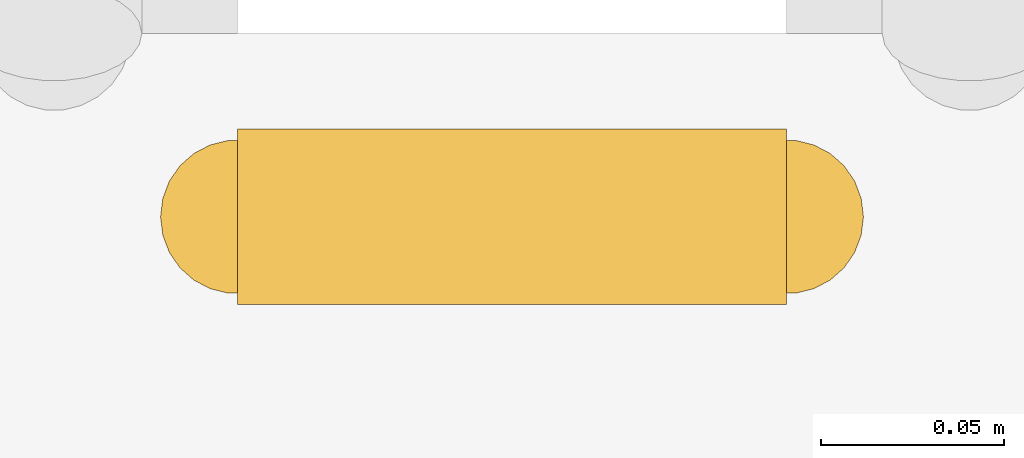
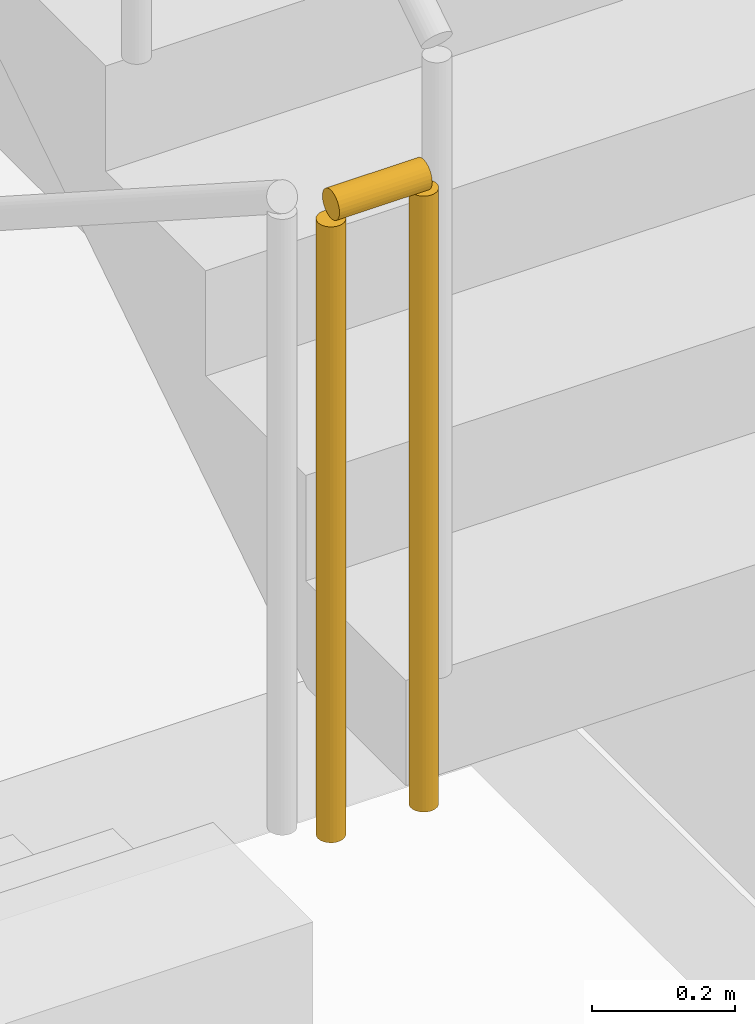
# One storey, part 8 of 13: 1 railing.
"""IFC4 building model written with IfcOpenShell, lengths in metres."""

import ifcopenshell
import ifcopenshell.guid

model = None  # the IFC model being written
_history = None  # IfcOwnerHistory: only IFC2X3 demands one
_inside = {}  # id of a spatial element -> (the spatial element, [elements in it])
_under = {}  # id of a project, library or spatial element -> (it, [spatial elements below it])
_declared = {}  # id of a project -> (the project, [libraries it declares])
_typed = {}  # id of a type object -> (the type object, [elements of that type])
_made_of = {}  # id of a material, layer set ... -> (it, [elements and type objects made of it])


def new_model(schema):
    """Start an empty IFC model of exactly this schema.

    Asked for "IFC4X3", IfcOpenShell would pick the latest addendum, in which some entities
    have other attributes; the version numbers below select the first issue.
    IFC2X3 requires an IfcOwnerHistory on every rooted entity: one is made here for all.
    """
    global model, _history
    if schema == "IFC4X3":
        model = ifcopenshell.file(schema_version=(4, 3, 0, 0))
    else:
        model = ifcopenshell.file(schema=schema)
    _inside.clear()
    _under.clear()
    _declared.clear()
    _typed.clear()
    _made_of.clear()
    _history = None
    if model.schema == "IFC2X3":
        org = make("IfcOrganization", Name="unknown")
        user = make(
            "IfcPersonAndOrganization",
            ThePerson=make("IfcPerson", FamilyName="unknown"),
            TheOrganization=org,
        )
        app = make(
            "IfcApplication",
            ApplicationDeveloper=org,
            Version="unknown",
            ApplicationFullName="unknown",
            ApplicationIdentifier="unknown",
        )
        _history = make(
            "IfcOwnerHistory",
            OwningUser=user,
            OwningApplication=app,
            ChangeAction="ADDED",
            CreationDate=0,
        )
    return model


def make(cls, **values):
    """One entity of the class cls with the attributes given. An attribute that is None is left unset."""
    return model.create_entity(
        cls, **{name: value for name, value in values.items() if value is not None}
    )


def rooted(cls, **values):
    """An entity with a GlobalId (a new one), such as an element, a storey or a relation."""
    return make(cls, GlobalId=ifcopenshell.guid.new(), OwnerHistory=_history, **values)


def si_unit(unit_type, name, prefix=None):
    """IfcSIUnit, for example si_unit("LENGTHUNIT", "METRE", prefix="MILLI")."""
    return make("IfcSIUnit", UnitType=unit_type, Prefix=prefix, Name=name)


def assignment(units):
    """IfcUnitAssignment: the units of a project."""
    return None if units is None else make("IfcUnitAssignment", Units=units)


def point(xyz):
    """IfcCartesianPoint."""
    return None if xyz is None else make("IfcCartesianPoint", Coordinates=xyz)


def direction(xyz):
    """IfcDirection."""
    return None if xyz is None else make("IfcDirection", DirectionRatios=xyz)


def frame(location, z_axis=None, x_axis=None):
    """IfcAxis2Placement3D, a coordinate frame: its origin and axes. An axis left out is left unset."""
    return make(
        "IfcAxis2Placement3D",
        Location=point(location),
        Axis=direction(z_axis),
        RefDirection=direction(x_axis),
    )


def frame_2d(location, x_axis=None):
    """IfcAxis2Placement2D, a coordinate frame in the plane: its origin and x axis."""
    return make(
        "IfcAxis2Placement2D", Location=point(location), RefDirection=direction(x_axis)
    )


def origin():
    """The frame at (0, 0, 0) with its axes left unset."""
    return frame((0.0, 0.0, 0.0))


def origin_2d():
    """The frame at (0, 0) in the plane with its x axis left unset."""
    return frame_2d((0.0, 0.0))


def place(relative_to, where):
    """IfcLocalPlacement: puts the frame where relative to a parent placement (None: the world)."""
    return make(
        "IfcLocalPlacement", PlacementRelTo=relative_to, RelativePlacement=where
    )


def context(
    kind, dimensions, precision=None, world=None, true_north=None, identifier=None
):
    """IfcGeometricRepresentationContext, for example the 3D "Model" context."""
    return make(
        "IfcGeometricRepresentationContext",
        ContextIdentifier=identifier,
        ContextType=kind,
        CoordinateSpaceDimension=dimensions,
        Precision=precision,
        WorldCoordinateSystem=world,
        TrueNorth=true_north,
    )


def subcontext(parent, identifier, kind, view, scale=None):
    """IfcGeometricRepresentationSubContext, for example "Body" below "Model"."""
    return make(
        "IfcGeometricRepresentationSubContext",
        ContextIdentifier=identifier,
        ContextType=kind,
        ParentContext=parent,
        TargetScale=scale,
        TargetView=view,
    )


def project(units=None, contexts=None):
    """IfcProject with its units and contexts."""
    return rooted(
        "IfcProject",
        Name="project",
        RepresentationContexts=contexts,
        UnitsInContext=assignment(units),
    )


def spatial(cls, under=None, at=None, **own):
    """A site, building, storey or space (cls), placed at a placement, below another one or the project."""
    s = rooted(cls, ObjectPlacement=at, **own)
    if under is not None:
        _under.setdefault(under.id(), (under, []))[1].append(s)
    return s


def profile(cls, at=None, kind="AREA", **sizes):
    """A parametric profile (cls). Its sizes go by their IFC names, for example OverallWidth=200.0."""
    return make(cls, ProfileType=kind, Position=at, **sizes)


def circle(**sizes):
    """IfcCircleProfileDef."""
    return profile("IfcCircleProfileDef", **sizes)


def extrude(swept, where, along, depth):
    """IfcExtrudedAreaSolid: the profile swept, set in the frame where, extruded along a direction by depth."""
    return make(
        "IfcExtrudedAreaSolid",
        SweptArea=swept,
        Position=where,
        ExtrudedDirection=direction(along),
        Depth=depth,
    )


def shape(context_of_items, identifier, shape_type, items):
    """IfcShapeRepresentation: the items that make up one representation, for example the "Body"."""
    return make(
        "IfcShapeRepresentation",
        ContextOfItems=context_of_items,
        RepresentationIdentifier=identifier,
        RepresentationType=shape_type,
        Items=items,
    )


def material(Name=None, Category=None):
    """IfcMaterial."""
    return make("IfcMaterial", Name=Name, Category=Category)


def made_of(thing, what):
    """Note that an element or type object is made of a material, layer set ...; save() writes the relation."""
    if what is not None:
        _made_of.setdefault(what.id(), (what, []))[1].append(thing)
    return thing


def type_object(cls, material=None, **own):
    """A type object (cls), such as IfcWallType, which elements share."""
    return made_of(rooted(cls, **own), material)


def element(
    cls,
    number,
    at=None,
    inside=None,
    cuts=None,
    type_object=None,
    material=None,
    context=None,
    identifier="Body",
    shape_type=None,
    held_by="IfcProductDefinitionShape",
    body=None,
    shapes=None,
    **own,
):
    """One element of the class cls, such as IfcWall. Its Tag is "e" and its number.

    at: its placement. inside: the storey or other place that contains it. cuts: it is an
    opening in that element (IfcRelVoidsElement). A single representation is given by context,
    identifier, shape_type and body (its items); several are given by shapes. held_by: the class
    of the entity that holds the representations. save() writes the other relations.
    """
    e = rooted(cls, Tag="e%d" % number, ObjectPlacement=at, **own)
    if body is not None:
        shapes = [shape(context, identifier, shape_type, body)]
    if shapes is not None:
        e.Representation = make(held_by, Representations=shapes)
    if inside is not None:
        _inside.setdefault(inside.id(), (inside, []))[1].append(e)
    if cuts is not None:
        rooted(
            "IfcRelVoidsElement", RelatingBuildingElement=cuts, RelatedOpeningElement=e
        )
    if type_object is not None:
        _typed.setdefault(type_object.id(), (type_object, []))[1].append(e)
    return made_of(e, material)


def aggregate(whole, parts):
    """IfcRelAggregates: a whole, such as a stair, and the parts it consists of."""
    return rooted("IfcRelAggregates", RelatingObject=whole, RelatedObjects=parts)


def save(model, path):
    """Write the relations noted so far, then the file.

    IfcRelAggregates (storeys below a building ...), IfcRelContainedInSpatialStructure (elements
    in a storey), IfcRelDefinesByType, IfcRelAssociatesMaterial and IfcRelDeclares: one each for
    every whole, place, type object, material and project.
    """
    for whole, parts in _under.values():
        aggregate(whole, parts)
    for where, things in _inside.values():
        rooted(
            "IfcRelContainedInSpatialStructure",
            RelatedElements=things,
            RelatingStructure=where,
        )
    for kind, things in _typed.values():
        rooted("IfcRelDefinesByType", RelatedObjects=things, RelatingType=kind)
    for what, things in _made_of.values():
        rooted("IfcRelAssociatesMaterial", RelatedObjects=things, RelatingMaterial=what)
    for by, libraries in _declared.values():
        rooted("IfcRelDeclares", RelatingContext=by, RelatedDefinitions=libraries)
    model.write(path)


model = new_model("IFC4")

# Units and contexts
model_context = context("Model", 3, precision=1e-05, world=origin(), true_north=direction((0.0, 1.0)))
body_context = subcontext(model_context, "Body", "Model", "MODEL_VIEW")
ifc_project = project(units=[si_unit("LENGTHUNIT", "METRE"), si_unit("AREAUNIT", "SQUARE_METRE"), si_unit("VOLUMEUNIT", "CUBIC_METRE"), si_unit("PLANEANGLEUNIT", "RADIAN"), si_unit("MASSUNIT", "GRAM", prefix="KILO")], contexts=[model_context])

# Site, building, storey
site_placement = place(None, origin())
site = spatial("IfcSite", under=ifc_project, at=site_placement, CompositionType="ELEMENT")
building_placement = place(site_placement, origin())
building = spatial("IfcBuilding", under=site, at=building_placement, Name="Oramaril Tower", CompositionType="ELEMENT")
storey_placement = place(building_placement, frame((0.0, 0.0, 41.699951171875)))
storey = spatial("IfcBuildingStorey", under=building, at=storey_placement, Name="L10", CompositionType="ELEMENT", Elevation=41.699951171875)

# Railing
ifc_material = material(Name="Stainless Steel 316L", Category="steel")
railing_type = type_object("IfcRailingType", Name="RLT-GRD", PredefinedType="GUARDRAIL", material=ifc_material)
railing_placement = place(storey_placement, frame((31.510009765625, 15.02001953125, 1.800048828125)))
element("IfcRailing", 1, at=railing_placement, inside=storey, type_object=railing_type, Name="L10 ST-1 stair guard 2", PredefinedType="GUARDRAIL", context=body_context, shape_type="SweptSolid", body=[
    extrude(circle(Radius=0.02392578125, at=origin_2d()), frame((0.0, 0.0, 1.076171875), z_axis=(1.0, 0.0, 0.0), x_axis=(0.0, 1.0, 0.0)), (0.0, 0.0, 1.0), 0.14990234375),
    extrude(circle(Radius=0.02099609375, at=origin_2d()), origin(), (0.0, 0.0, 1.0), 1.052001953125),
    extrude(circle(Radius=0.02099609375, at=origin_2d()), frame((0.14990234375, 0.0, 0.0)), (0.0, 0.0, 1.0), 1.052001953125),
])

save(model, "model.ifc")
